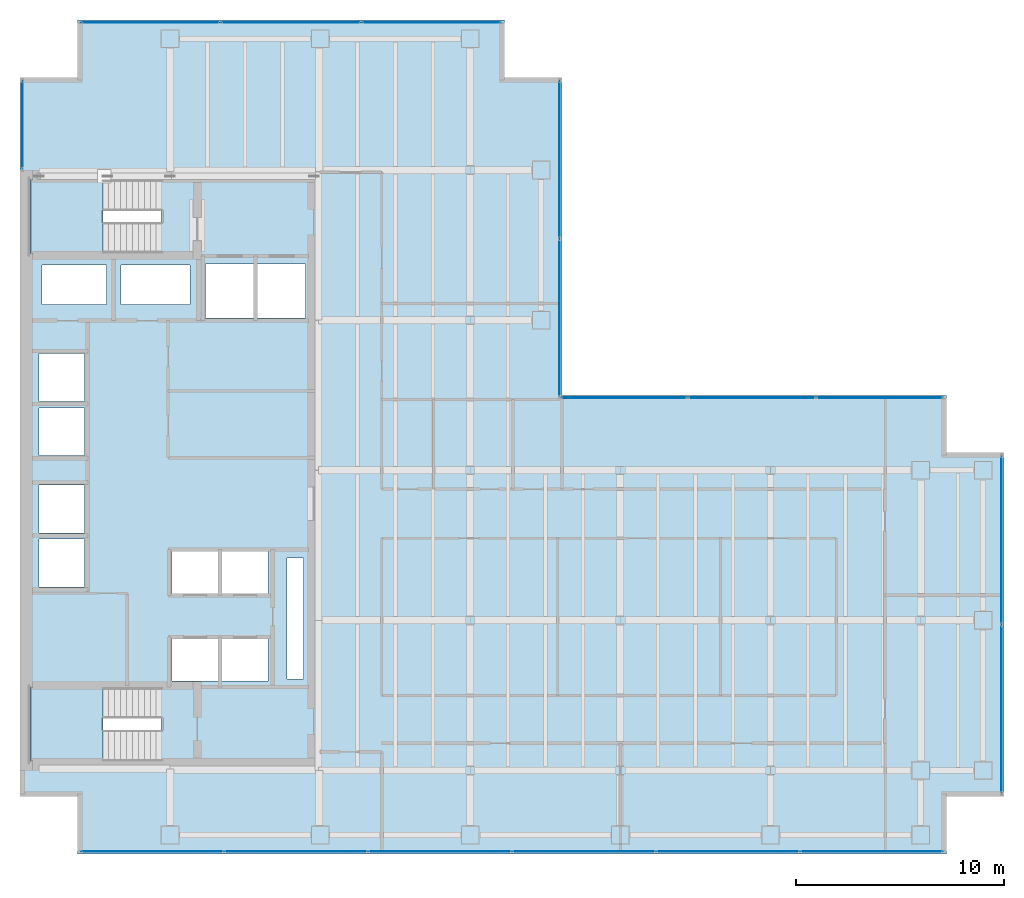
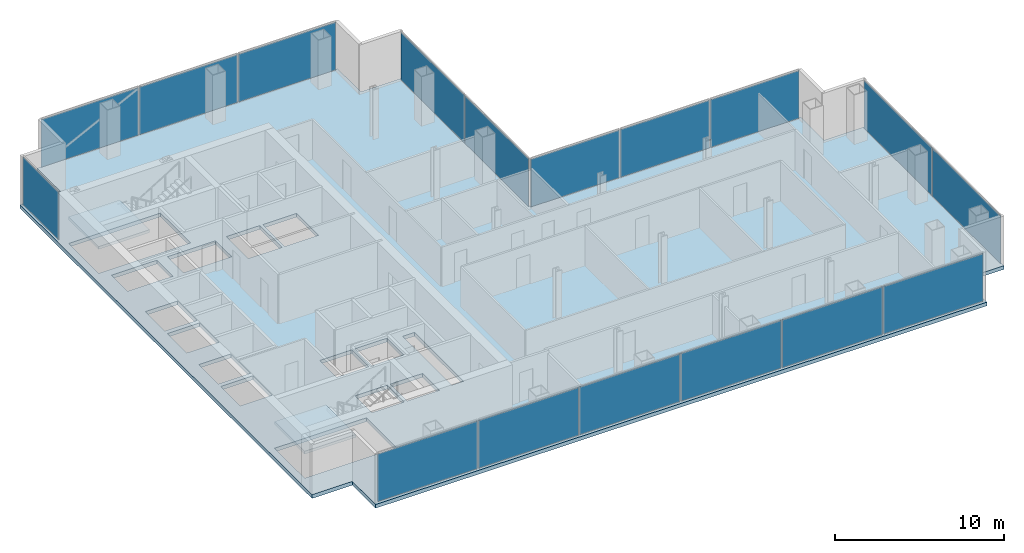
# One storey, part 19 of 23: 17 plates, 3 slabs, 15 openings, 8 elements without a shape of their own.
"""IFC4 building model written with IfcOpenShell, lengths in metres."""

from ifc_helpers import new_model, si_unit, direction, frame, origin, origin_2d, place, context, subcontext, project, spatial, polyline, rectangle, outline, extrude, material, layer, layer_set, type_object, element, aggregate, save


model = new_model("IFC4")

# Units and contexts
model_context = context("Model", 3, precision=1e-05, world=origin(), true_north=direction((0.0, 1.0)))
body_context = subcontext(model_context, "Body", "Model", "MODEL_VIEW")
ifc_project = project(units=[si_unit("LENGTHUNIT", "METRE"), si_unit("AREAUNIT", "SQUARE_METRE"), si_unit("VOLUMEUNIT", "CUBIC_METRE"), si_unit("PLANEANGLEUNIT", "RADIAN"), si_unit("MASSUNIT", "GRAM", prefix="KILO")], contexts=[model_context])

# Site, building, storey
site_placement = place(None, origin())
site = spatial("IfcSite", under=ifc_project, at=site_placement, CompositionType="ELEMENT")
building_placement = place(site_placement, origin())
building = spatial("IfcBuilding", under=site, at=building_placement, Name="Cobrela Telecom Tower", CompositionType="ELEMENT")
storey_placement = place(building_placement, frame((0.0, 0.0, 125.300048828125)))
storey = spatial("IfcBuildingStorey", under=building, at=storey_placement, Name="L31", CompositionType="ELEMENT", Elevation=125.300048828125)

# Curtain wall, plate
ifc_material_1 = material(Name="Anodized Bronze Aluminium 6063-T6", Category="aluminium")
curtain_wall_type = type_object("IfcCurtainWallType", Name="CW-SYS-TEL", PredefinedType="USERDEFINED", material=ifc_material_1)
curtain_wall_1_placement = place(storey_placement, origin())
curtain_wall_1 = element("IfcCurtainWall", 1, at=curtain_wall_1_placement, inside=storey, type_object=curtain_wall_type, Name="L31 Unitised Bronze Curtain Wall 04", ObjectType="UNITISED CURTAIN WALL", PredefinedType="USERDEFINED")
ifc_material_2 = material(Name="Solar-Control Bronze Low-E Glass", Category="glass")
ifc_layer_1 = layer(ifc_material_2, 0.035888671875)
ifc_layer_set_1 = layer_set([ifc_layer_1], Name="Solar-Control Bronze Low-E Glass")
plate_type = type_object("IfcPlateType", Name="CW-SYS-TEL-PNL", PredefinedType="CURTAIN_PANEL", material=ifc_layer_set_1)
plate_1_placement = place(storey_placement, frame((0.1201171875, 38.1650390625, 0.070068359375), z_axis=(0.0, 0.0, 1.0), x_axis=(0.0, 1.0, 0.0)))
plate_1 = element("IfcPlate", 2, at=plate_1_placement, type_object=plate_type, Name="CW-TEL panel 1.1", PredefinedType="CURTAIN_PANEL", context=body_context, shape_type="SweptSolid", body=[
    extrude(rectangle(XDim=4.179931640625, YDim=0.035888671875, at=origin_2d()), origin(), (0.0, 0.0, 1.0), 3.43994140625),
])
aggregate(curtain_wall_1, [plate_1])

# Curtain wall, plates
curtain_wall_2_placement = place(storey_placement, origin())
curtain_wall_2 = element("IfcCurtainWall", 3, at=curtain_wall_2_placement, inside=storey, type_object=curtain_wall_type, Name="L31 Unitised Bronze Curtain Wall 07", ObjectType="UNITISED CURTAIN WALL", PredefinedType="USERDEFINED")
plate_2_placement = place(storey_placement, frame((6.265380859375, 43.080078125, 0.070068359375), z_axis=(0.0, 0.0, 1.0), x_axis=(1.0, 0.0, 0.0)))
plate_2 = element("IfcPlate", 4, at=plate_2_placement, type_object=plate_type, Name="CW-TEL panel 1.1", PredefinedType="CURTAIN_PANEL", context=body_context, shape_type="SweptSolid", body=[
    extrude(rectangle(XDim=6.640869140625, YDim=0.035888671875, at=origin_2d()), origin(), (0.0, 0.0, 1.0), 3.43994140625),
])
plate_3_placement = place(storey_placement, frame((13.0, 43.080078125, 0.070068359375), z_axis=(0.0, 0.0, 1.0), x_axis=(1.0, 0.0, 0.0)))
plate_3 = element("IfcPlate", 5, at=plate_3_placement, type_object=plate_type, Name="CW-TEL panel 2.1", PredefinedType="CURTAIN_PANEL", context=body_context, shape_type="SweptSolid", body=[
    extrude(rectangle(XDim=6.67822265625, YDim=0.035888671875, at=origin_2d()), origin(), (0.0, 0.0, 1.0), 3.43994140625),
])
plate_4_placement = place(storey_placement, frame((19.734619140625, 43.080078125, 0.070068359375), z_axis=(0.0, 0.0, 1.0), x_axis=(1.0, 0.0, 0.0)))
plate_4 = element("IfcPlate", 6, at=plate_4_placement, type_object=plate_type, Name="CW-TEL panel 3.1", PredefinedType="CURTAIN_PANEL", context=body_context, shape_type="SweptSolid", body=[
    extrude(rectangle(XDim=6.640869140625, YDim=0.035888671875, at=origin_2d()), origin(), (0.0, 0.0, 1.0), 3.43994140625),
])
aggregate(curtain_wall_2, [plate_2, plate_3, plate_4])

curtain_wall_3_placement = place(storey_placement, origin())
curtain_wall_3 = element("IfcCurtainWall", 7, at=curtain_wall_3_placement, inside=storey, type_object=curtain_wall_type, Name="L31 Unitised Bronze Curtain Wall 10", ObjectType="UNITISED CURTAIN WALL", PredefinedType="USERDEFINED")
plate_5_placement = place(storey_placement, frame((25.8798828125, 36.498779296875, 0.070068359375), z_axis=(0.0, 0.0, 1.0), x_axis=(0.0, -1.0, 0.0)))
plate_5 = element("IfcPlate", 8, at=plate_5_placement, type_object=plate_type, Name="CW-TEL panel 1.1", PredefinedType="CURTAIN_PANEL", context=body_context, shape_type="SweptSolid", body=[
    extrude(rectangle(XDim=7.512451171875, YDim=0.035888671875, at=origin_2d()), origin(), (0.0, 0.0, 1.0), 3.43994140625),
])
plate_6_placement = place(storey_placement, frame((25.8798828125, 28.9111328125, 0.070068359375), z_axis=(0.0, 0.0, 1.0), x_axis=(0.0, -1.0, 0.0)))
plate_6 = element("IfcPlate", 9, at=plate_6_placement, type_object=plate_type, Name="CW-TEL panel 2.1", PredefinedType="CURTAIN_PANEL", context=body_context, shape_type="SweptSolid", body=[
    extrude(rectangle(XDim=7.512451171875, YDim=0.035888671875, at=origin_2d()), origin(), (0.0, 0.0, 1.0), 3.43994140625),
])
aggregate(curtain_wall_3, [plate_5, plate_6])

curtain_wall_4_placement = place(storey_placement, origin())
curtain_wall_4 = element("IfcCurtainWall", 10, at=curtain_wall_4_placement, inside=storey, type_object=curtain_wall_type, Name="L31 Unitised Bronze Curtain Wall 11", ObjectType="UNITISED CURTAIN WALL", PredefinedType="USERDEFINED")
plate_7_placement = place(storey_placement, frame((28.9736328125, 25.080078125, 0.070068359375), z_axis=(0.0, 0.0, 1.0), x_axis=(1.0, 0.0, 0.0)))
plate_7 = element("IfcPlate", 11, at=plate_7_placement, type_object=plate_type, Name="CW-TEL panel 1.1", PredefinedType="CURTAIN_PANEL", context=body_context, shape_type="SweptSolid", body=[
    extrude(rectangle(XDim=6.03759765625, YDim=0.035888671875, at=origin_2d()), origin(), (0.0, 0.0, 1.0), 3.43994140625),
])
plate_8_placement = place(storey_placement, frame((35.10498046875, 25.080078125, 0.070068359375), z_axis=(0.0, 0.0, 1.0), x_axis=(1.0, 0.0, 0.0)))
plate_8 = element("IfcPlate", 12, at=plate_8_placement, type_object=plate_type, Name="CW-TEL panel 2.1", PredefinedType="CURTAIN_PANEL", context=body_context, shape_type="SweptSolid", body=[
    extrude(rectangle(XDim=6.074951171875, YDim=0.035888671875, at=origin_2d()), origin(), (0.0, 0.0, 1.0), 3.43994140625),
])
plate_9_placement = place(storey_placement, frame((41.236328125, 25.080078125, 0.070068359375), z_axis=(0.0, 0.0, 1.0), x_axis=(1.0, 0.0, 0.0)))
plate_9 = element("IfcPlate", 13, at=plate_9_placement, type_object=plate_type, Name="CW-TEL panel 3.1", PredefinedType="CURTAIN_PANEL", context=body_context, shape_type="SweptSolid", body=[
    extrude(rectangle(XDim=6.03759765625, YDim=0.035888671875, at=origin_2d()), origin(), (0.0, 0.0, 1.0), 3.43994140625),
])
aggregate(curtain_wall_4, [plate_7, plate_8, plate_9])

curtain_wall_5_placement = place(storey_placement, origin())
curtain_wall_5 = element("IfcCurtainWall", 14, at=curtain_wall_5_placement, inside=storey, type_object=curtain_wall_type, Name="L31 Unitised Bronze Curtain Wall 14", ObjectType="UNITISED CURTAIN WALL", PredefinedType="USERDEFINED")
plate_10_placement = place(storey_placement, frame((47.080078125, 18.246337890625, 0.070068359375), z_axis=(0.0, 0.0, 1.0), x_axis=(0.0, -1.0, 0.0)))
plate_10 = element("IfcPlate", 15, at=plate_10_placement, type_object=plate_type, Name="CW-TEL panel 1.1", PredefinedType="CURTAIN_PANEL", context=body_context, shape_type="SweptSolid", body=[
    extrude(rectangle(XDim=8.017578125, YDim=0.035888671875, at=origin_2d()), origin(), (0.0, 0.0, 1.0), 3.43994140625),
])
plate_11_placement = place(storey_placement, frame((47.080078125, 10.15380859375, 0.070068359375), z_axis=(0.0, 0.0, 1.0), x_axis=(0.0, -1.0, 0.0)))
plate_11 = element("IfcPlate", 16, at=plate_11_placement, type_object=plate_type, Name="CW-TEL panel 2.1", PredefinedType="CURTAIN_PANEL", context=body_context, shape_type="SweptSolid", body=[
    extrude(rectangle(XDim=8.017578125, YDim=0.035888671875, at=origin_2d()), origin(), (0.0, 0.0, 1.0), 3.43994140625),
])
aggregate(curtain_wall_5, [plate_10, plate_11])

curtain_wall_6_placement = place(storey_placement, origin())
curtain_wall_6 = element("IfcCurtainWall", 17, at=curtain_wall_6_placement, inside=storey, type_object=curtain_wall_type, Name="L31 Unitised Bronze Curtain Wall 17", ObjectType="UNITISED CURTAIN WALL", PredefinedType="USERDEFINED")
plate_12_placement = place(storey_placement, frame((40.856201171875, 3.320068359375, 0.070068359375), z_axis=(0.0, 0.0, 1.0), x_axis=(-1.0, 0.0, 0.0)))
plate_12 = element("IfcPlate", 18, at=plate_12_placement, type_object=plate_type, Name="CW-TEL panel 1.1", PredefinedType="CURTAIN_PANEL", context=body_context, shape_type="SweptSolid", body=[
    extrude(rectangle(XDim=6.797607421875, YDim=0.035888671875, at=origin_2d()), origin(), (0.0, 0.0, 1.0), 3.43994140625),
])
plate_13_placement = place(storey_placement, frame((33.965087890625, 3.320068359375, 0.070068359375), z_axis=(0.0, 0.0, 1.0), x_axis=(-1.0, 0.0, 0.0)))
plate_13 = element("IfcPlate", 19, at=plate_13_placement, type_object=plate_type, Name="CW-TEL panel 2.1", PredefinedType="CURTAIN_PANEL", context=body_context, shape_type="SweptSolid", body=[
    extrude(rectangle(XDim=6.8349609375, YDim=0.035888671875, at=origin_2d()), origin(), (0.0, 0.0, 1.0), 3.43994140625),
])
plate_14_placement = place(storey_placement, frame((27.054931640625, 3.320068359375, 0.070068359375), z_axis=(0.0, 0.0, 1.0), x_axis=(-1.0, 0.0, 0.0)))
plate_14 = element("IfcPlate", 20, at=plate_14_placement, type_object=plate_type, Name="CW-TEL panel 3.1", PredefinedType="CURTAIN_PANEL", context=body_context, shape_type="SweptSolid", body=[
    extrude(rectangle(XDim=6.8349609375, YDim=0.035888671875, at=origin_2d()), origin(), (0.0, 0.0, 1.0), 3.43994140625),
])
plate_15_placement = place(storey_placement, frame((20.14501953125, 3.320068359375, 0.070068359375), z_axis=(0.0, 0.0, 1.0), x_axis=(-1.0, 0.0, 0.0)))
plate_15 = element("IfcPlate", 21, at=plate_15_placement, type_object=plate_type, Name="CW-TEL panel 4.1", PredefinedType="CURTAIN_PANEL", context=body_context, shape_type="SweptSolid", body=[
    extrude(rectangle(XDim=6.8349609375, YDim=0.035888671875, at=origin_2d()), origin(), (0.0, 0.0, 1.0), 3.43994140625),
])
plate_16_placement = place(storey_placement, frame((13.235107421875, 3.320068359375, 0.070068359375), z_axis=(0.0, 0.0, 1.0), x_axis=(-1.0, 0.0, 0.0)))
plate_16 = element("IfcPlate", 22, at=plate_16_placement, type_object=plate_type, Name="CW-TEL panel 5.1", PredefinedType="CURTAIN_PANEL", context=body_context, shape_type="SweptSolid", body=[
    extrude(rectangle(XDim=6.8349609375, YDim=0.035888671875, at=origin_2d()), origin(), (0.0, 0.0, 1.0), 3.43994140625),
])
plate_17_placement = place(storey_placement, frame((6.34375, 3.320068359375, 0.070068359375), z_axis=(0.0, 0.0, 1.0), x_axis=(-1.0, 0.0, 0.0)))
plate_17 = element("IfcPlate", 23, at=plate_17_placement, type_object=plate_type, Name="CW-TEL panel 6.1", PredefinedType="CURTAIN_PANEL", context=body_context, shape_type="SweptSolid", body=[
    extrude(rectangle(XDim=6.797607421875, YDim=0.035888671875, at=origin_2d()), origin(), (0.0, 0.0, 1.0), 3.43994140625),
])
aggregate(curtain_wall_6, [plate_12, plate_13, plate_14, plate_15, plate_16, plate_17])

# Slab, openings
ifc_material_3 = material(Name="Concrete C40/50", Category="concrete")
ifc_layer_2 = layer(ifc_material_3, 0.27001953125)
ifc_layer_set_2 = layer_set([ifc_layer_2], Name="Concrete C40/50")
slab_type_1 = type_object("IfcSlabType", Name="SLAB-FLR-270", PredefinedType="FLOOR", material=ifc_layer_set_2)
slab_1_placement = place(storey_placement, frame((0.0, 0.0, -0.27001953125)))
slab_1 = element("IfcSlab", 24, at=slab_1_placement, inside=storey, type_object=slab_type_1, Name="L31 Structural Floor Slab", PredefinedType="FLOOR", context=body_context, shape_type="SweptSolid", body=[
    extrude(outline(polyline([(2.75, 3.199951171875), (44.449951171875, 3.199951171875), (44.449951171875, 5.949951171875), (47.199951171875, 5.949951171875), (47.199951171875, 22.449951171875), (44.449951171875, 22.449951171875), (44.449951171875, 25.199951171875), (26.0, 25.199951171875), (26.0, 40.449951171875), (23.25, 40.449951171875), (23.25, 43.199951171875), (2.75, 43.199951171875), (2.75, 40.449951171875), (0.0, 40.449951171875), (0.0, 5.949951171875), (2.75, 5.949951171875), (2.75, 3.199951171875)])), origin(), (0.0, 0.0, 1.0), 0.27001953125),
])
opening_1_placement = place(slab_1_placement, frame((0.0, 0.0, -0.02001953125)))
element("IfcOpeningElement", 25, at=opening_1_placement, cuts=slab_1, Name="Slab Shaft Opening SLAB-L31-MAIN.1", PredefinedType="OPENING", context=body_context, shape_type="SweptSolid", body=[
    extrude(outline(polyline([(8.89990234375, 28.89990234375), (11.199951171875, 28.89990234375), (11.199951171875, 31.5), (8.89990234375, 31.5), (8.89990234375, 28.89990234375)])), origin(), (0.0, 0.0, 1.0), 0.31005859375),
])
opening_2_placement = place(slab_1_placement, frame((0.0, 0.0, -0.02001953125)))
element("IfcOpeningElement", 26, at=opening_2_placement, cuts=slab_1, Name="Slab Shaft Opening SLAB-L31-MAIN.2", PredefinedType="OPENING", context=body_context, shape_type="SweptSolid", body=[
    extrude(outline(polyline([(11.39990234375, 28.89990234375), (13.699951171875, 28.89990234375), (13.699951171875, 31.5), (11.39990234375, 31.5), (11.39990234375, 28.89990234375)])), origin(), (0.0, 0.0, 1.0), 0.31005859375),
])
opening_3_placement = place(slab_1_placement, frame((0.0, 0.0, -0.02001953125)))
element("IfcOpeningElement", 27, at=opening_3_placement, cuts=slab_1, Name="Slab Shaft Opening SLAB-L31-MAIN.3", PredefinedType="OPENING", context=body_context, shape_type="SweptSolid", body=[
    extrude(outline(polyline([(7.300048828125, 15.699951171875), (9.5, 15.699951171875), (9.5, 17.699951171875), (7.300048828125, 17.699951171875), (7.300048828125, 15.699951171875)])), origin(), (0.0, 0.0, 1.0), 0.31005859375),
])
opening_4_placement = place(slab_1_placement, frame((0.0, 0.0, -0.02001953125)))
element("IfcOpeningElement", 28, at=opening_4_placement, cuts=slab_1, Name="Slab Shaft Opening SLAB-L31-MAIN.4", PredefinedType="OPENING", context=body_context, shape_type="SweptSolid", body=[
    extrude(outline(polyline([(9.699951171875, 15.699951171875), (11.89990234375, 15.699951171875), (11.89990234375, 17.699951171875), (9.699951171875, 17.699951171875), (9.699951171875, 15.699951171875)])), origin(), (0.0, 0.0, 1.0), 0.31005859375),
])
opening_5_placement = place(slab_1_placement, frame((0.0, 0.0, -0.02001953125)))
element("IfcOpeningElement", 29, at=opening_5_placement, cuts=slab_1, Name="Slab Shaft Opening SLAB-L31-MAIN.5", PredefinedType="OPENING", context=body_context, shape_type="SweptSolid", body=[
    extrude(outline(polyline([(7.300048828125, 11.5), (9.5, 11.5), (9.5, 13.5), (7.300048828125, 13.5), (7.300048828125, 11.5)])), origin(), (0.0, 0.0, 1.0), 0.31005859375),
])
opening_6_placement = place(slab_1_placement, frame((0.0, 0.0, -0.02001953125)))
element("IfcOpeningElement", 30, at=opening_6_placement, cuts=slab_1, Name="Slab Shaft Opening SLAB-L31-MAIN.6", PredefinedType="OPENING", context=body_context, shape_type="SweptSolid", body=[
    extrude(outline(polyline([(9.699951171875, 11.5), (11.89990234375, 11.5), (11.89990234375, 13.5), (9.699951171875, 13.5), (9.699951171875, 11.5)])), origin(), (0.0, 0.0, 1.0), 0.31005859375),
])
opening_7_placement = place(slab_1_placement, frame((0.0, 0.0, -0.02001953125)))
element("IfcOpeningElement", 31, at=opening_7_placement, cuts=slab_1, Name="Slab Shaft Opening SLAB-L31-MAIN.7", PredefinedType="OPENING", context=body_context, shape_type="SweptSolid", body=[
    extrude(outline(polyline([(0.89990234375, 16.0), (3.10009765625, 16.0), (3.10009765625, 18.300048828125), (0.89990234375, 18.300048828125), (0.89990234375, 16.0)])), origin(), (0.0, 0.0, 1.0), 0.31005859375),
])
opening_8_placement = place(slab_1_placement, frame((0.0, 0.0, -0.02001953125)))
element("IfcOpeningElement", 32, at=opening_8_placement, cuts=slab_1, Name="Slab Shaft Opening SLAB-L31-MAIN.8", PredefinedType="OPENING", context=body_context, shape_type="SweptSolid", body=[
    extrude(outline(polyline([(0.89990234375, 18.60009765625), (3.10009765625, 18.60009765625), (3.10009765625, 20.89990234375), (0.89990234375, 20.89990234375), (0.89990234375, 18.60009765625)])), origin(), (0.0, 0.0, 1.0), 0.31005859375),
])
opening_9_placement = place(slab_1_placement, frame((0.0, 0.0, -0.02001953125)))
element("IfcOpeningElement", 33, at=opening_9_placement, cuts=slab_1, Name="Slab Shaft Opening SLAB-L31-MAIN.9", PredefinedType="OPENING", context=body_context, shape_type="SweptSolid", body=[
    extrude(outline(polyline([(0.89990234375, 22.300048828125), (3.10009765625, 22.300048828125), (3.10009765625, 24.60009765625), (0.89990234375, 24.60009765625), (0.89990234375, 22.300048828125)])), origin(), (0.0, 0.0, 1.0), 0.31005859375),
])
opening_10_placement = place(slab_1_placement, frame((0.0, 0.0, -0.02001953125)))
element("IfcOpeningElement", 34, at=opening_10_placement, cuts=slab_1, Name="Slab Shaft Opening SLAB-L31-MAIN.10", PredefinedType="OPENING", context=body_context, shape_type="SweptSolid", body=[
    extrude(outline(polyline([(0.89990234375, 24.89990234375), (3.10009765625, 24.89990234375), (3.10009765625, 27.199951171875), (0.89990234375, 27.199951171875), (0.89990234375, 24.89990234375)])), origin(), (0.0, 0.0, 1.0), 0.31005859375),
])
opening_11_placement = place(slab_1_placement, frame((0.0, 0.0, -0.02001953125)))
element("IfcOpeningElement", 35, at=opening_11_placement, cuts=slab_1, Name="Slab Shaft Opening SLAB-L31-MAIN.11", PredefinedType="OPENING", context=body_context, shape_type="SweptSolid", body=[
    extrude(outline(polyline([(1.050048828125, 29.550048828125), (4.14990234375, 29.550048828125), (4.14990234375, 31.449951171875), (1.050048828125, 31.449951171875), (1.050048828125, 29.550048828125)])), origin(), (0.0, 0.0, 1.0), 0.31005859375),
])
opening_12_placement = place(slab_1_placement, frame((0.0, 0.0, -0.02001953125)))
element("IfcOpeningElement", 36, at=opening_12_placement, cuts=slab_1, Name="Slab Shaft Opening SLAB-L31-MAIN.12", PredefinedType="OPENING", context=body_context, shape_type="SweptSolid", body=[
    extrude(outline(polyline([(4.85009765625, 29.550048828125), (8.14990234375, 29.550048828125), (8.14990234375, 31.449951171875), (4.85009765625, 31.449951171875), (4.85009765625, 29.550048828125)])), origin(), (0.0, 0.0, 1.0), 0.31005859375),
])
opening_13_placement = place(slab_1_placement, frame((0.0, 0.0, -0.02001953125)))
element("IfcOpeningElement", 37, at=opening_13_placement, cuts=slab_1, Name="Slab Shaft Opening SLAB-L31-MAIN.13", PredefinedType="OPENING", context=body_context, shape_type="SweptSolid", body=[
    extrude(outline(polyline([(12.800048828125, 11.60009765625), (13.60009765625, 11.60009765625), (13.60009765625, 17.39990234375), (12.800048828125, 17.39990234375), (12.800048828125, 11.60009765625)])), origin(), (0.0, 0.0, 1.0), 0.31005859375),
])
opening_14_placement = place(slab_1_placement, frame((0.0, 0.0, -0.02001953125)))
element("IfcOpeningElement", 38, at=opening_14_placement, cuts=slab_1, Name="Slab Shaft Opening SLAB-L31-MAIN.14", PredefinedType="OPENING", context=body_context, shape_type="SweptSolid", body=[
    extrude(outline(polyline([(6.7548828125, 35.550048828125), (0.47998046875, 35.550048828125), (0.47998046875, 32.0), (6.7548828125, 32.0), (6.7548828125, 35.550048828125)])), origin(), (0.0, 0.0, 1.0), 0.31005859375),
])
opening_15_placement = place(slab_1_placement, frame((0.0, 0.0, -0.02001953125)))
element("IfcOpeningElement", 39, at=opening_15_placement, cuts=slab_1, Name="Slab Shaft Opening SLAB-L31-MAIN.15", PredefinedType="OPENING", context=body_context, shape_type="SweptSolid", body=[
    extrude(outline(polyline([(6.7548828125, 11.199951171875), (0.47998046875, 11.199951171875), (0.47998046875, 7.64990234375), (6.7548828125, 7.64990234375), (6.7548828125, 11.199951171875)])), origin(), (0.0, 0.0, 1.0), 0.31005859375),
])

# Stair, slab
stair_type = type_object("IfcStairType", Name="STAIR-CORE", PredefinedType="HALF_TURN_STAIR", material=ifc_material_3)
stair_1_placement = place(storey_placement, origin())
stair_1 = element("IfcStair", 40, at=stair_1_placement, inside=storey, type_object=stair_type, Name="L31 Smokeproof Exit Stair ST1", PredefinedType="HALF_TURN_STAIR")
ifc_layer_3 = layer(ifc_material_3, 0.199951171875)
ifc_layer_set_3 = layer_set([ifc_layer_3], Name="Concrete C40/50")
slab_type_2 = type_object("IfcSlabType", Name="SLAB-LAND-200", PredefinedType="LANDING", material=ifc_layer_set_3)
slab_2_placement = place(storey_placement, frame((0.0, 0.0, 1.724853515625)))
slab_2 = element("IfcSlab", 41, at=slab_2_placement, type_object=slab_type_2, Name="ST1 landing 1", PredefinedType="LANDING", context=body_context, shape_type="SweptSolid", body=[
    extrude(outline(polyline([(3.969970703125, 35.550048828125), (0.47998046875, 35.550048828125), (0.47998046875, 32.0), (3.969970703125, 32.0), (3.969970703125, 35.550048828125)])), origin(), (0.0, 0.0, 1.0), 0.2001953125),
])
aggregate(stair_1, [slab_2])

stair_2_placement = place(storey_placement, origin())
stair_2 = element("IfcStair", 42, at=stair_2_placement, inside=storey, type_object=stair_type, Name="L31 Smokeproof Exit Stair ST2", PredefinedType="HALF_TURN_STAIR")
slab_3_placement = place(storey_placement, frame((0.0, 0.0, 1.724853515625)))
slab_3 = element("IfcSlab", 43, at=slab_3_placement, type_object=slab_type_2, Name="ST2 landing 1", PredefinedType="LANDING", context=body_context, shape_type="SweptSolid", body=[
    extrude(outline(polyline([(3.969970703125, 11.199951171875), (0.47998046875, 11.199951171875), (0.47998046875, 7.64990234375), (3.969970703125, 7.64990234375), (3.969970703125, 11.199951171875)])), origin(), (0.0, 0.0, 1.0), 0.2001953125),
])
aggregate(stair_2, [slab_3])

save(model, "model.ifc")
